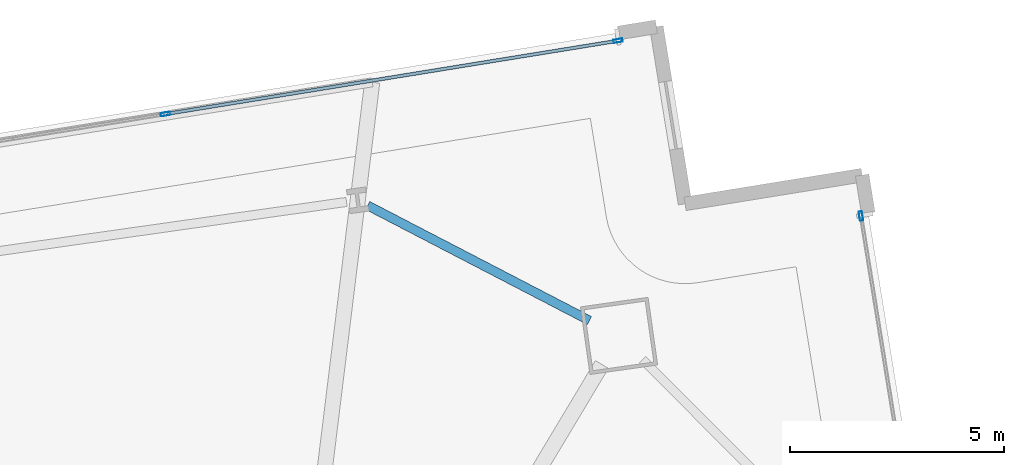
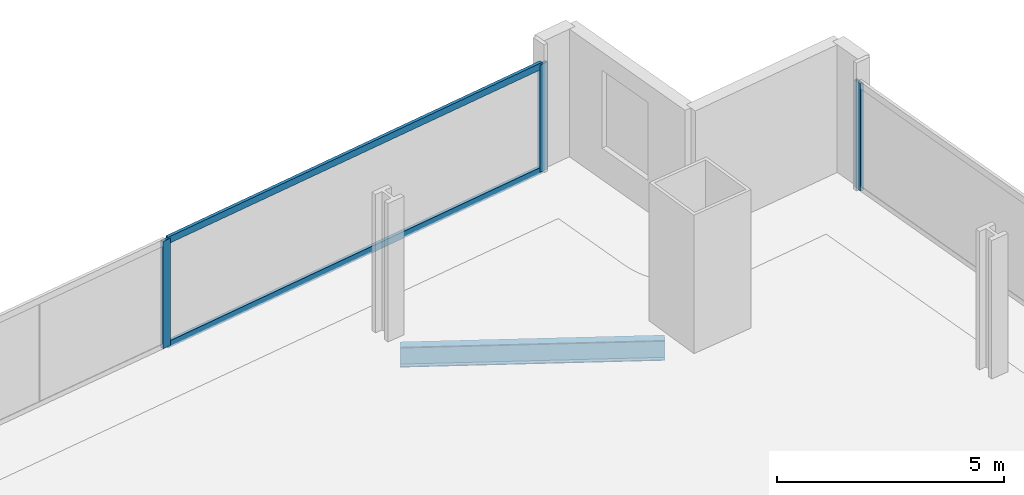
# One storey, part 23 of 33: 5 members, 1 beam, 2 elements without a shape of their own.
"""IFC4 building model written with IfcOpenShell, lengths in metres."""

from ifc_helpers import new_model, si_unit, direction, frame, origin, origin_2d, place, context, subcontext, project, spatial, hollow_rectangle, i_section, extrude, material, material_profile, profile_set, type_object, element, aggregate, save


model = new_model("IFC4")

# Units and contexts
model_context = context("Model", 3, precision=1e-05, world=origin(), true_north=direction((0.0, 1.0)))
body_context = subcontext(model_context, "Body", "Model", "MODEL_VIEW")
ifc_project = project(units=[si_unit("LENGTHUNIT", "METRE"), si_unit("AREAUNIT", "SQUARE_METRE"), si_unit("VOLUMEUNIT", "CUBIC_METRE"), si_unit("PLANEANGLEUNIT", "RADIAN"), si_unit("MASSUNIT", "GRAM", prefix="KILO")], contexts=[model_context])

# Site, building, storey
site_placement = place(None, origin())
site = spatial("IfcSite", under=ifc_project, at=site_placement, CompositionType="ELEMENT")
building_placement = place(site_placement, origin())
building = spatial("IfcBuilding", under=site, at=building_placement, Name="Haldenkirk Collegiate Tower", CompositionType="ELEMENT")
storey_placement = place(building_placement, frame((0.0, 0.0, 58.949951171875)))
storey = spatial("IfcBuildingStorey", under=building, at=storey_placement, Name="L13", CompositionType="ELEMENT", Elevation=58.949951171875)

# Beam
ifc_material_1 = material(Name="Steel ASTM A992 Grade 50", Category="steel")
ifc_material_profile_1 = material_profile(ifc_material_1, i_section(OverallWidth=0.2119140625, OverallDepth=0.5439453125, WebThickness=0.01318359375, FlangeThickness=0.021240234375, at=origin_2d()), Name="W21X83")
ifc_profile_set_1 = profile_set([ifc_material_profile_1], Name="Steel ASTM A992 Grade 50")
beam_type = type_object("IfcBeamType", Name="BM-SPANDREL-W21X83", PredefinedType="SPANDREL", material=ifc_profile_set_1)
beam_placement = place(storey_placement, frame((52.4921875, 48.029296875, -0.58203125), z_axis=(-0.887648364794, 0.460521856678, 0.0), x_axis=(-0.460521856678, -0.887648364794, 0.0)))
element("IfcBeam", 1, at=beam_placement, inside=storey, type_object=beam_type, Name="L13 perimeter spandrel beam 09", PredefinedType="SPANDREL", context=body_context, shape_type="SweptSolid", body=[
    extrude(i_section(OverallWidth=0.2119140625, OverallDepth=0.5439453125, WebThickness=0.01318359375, FlangeThickness=0.021240234375, at=origin_2d()), origin(), (0.0, 0.0, 1.0), 5.848388671875),
])

# Curtain wall, member
ifc_material_2 = material(Name="Anodised architectural bronze aluminium", Category="aluminium")
curtain_wall_type = type_object("IfcCurtainWallType", Name="CW-SYS1-CONVEX-LOW", PredefinedType="USERDEFINED", material=ifc_material_2)
curtain_wall_1_placement = place(storey_placement, origin())
curtain_wall_1 = element("IfcCurtainWall", 2, at=curtain_wall_1_placement, inside=storey, type_object=curtain_wall_type, Name="L13 Lower tower convex bronze-framed unitised curtain wall", ObjectType="UNITISED CURTAIN WALL", PredefinedType="USERDEFINED")
ifc_material_profile_2 = material_profile(ifc_material_2, hollow_rectangle(XDim=0.080078125, YDim=0.219970703125, WallThickness=0.0048828125, at=origin_2d()), Name="CW-MUL-1A")
ifc_profile_set_2 = profile_set([ifc_material_profile_2], Name="Anodised architectural bronze aluminium")
member_type_1 = type_object("IfcMemberType", Name="CW-MUL-1A", PredefinedType="MULLION", material=ifc_profile_set_2)
member_1_placement = place(storey_placement, frame((58.850341796875, 50.478271484375, 0.0), z_axis=(0.0, 0.0, 1.0), x_axis=(0.987136378374, 0.159880488152, 0.0)))
member_1 = element("IfcMember", 3, at=member_1_placement, type_object=member_type_1, Name="CW-1A mullion 1", PredefinedType="MULLION", context=body_context, shape_type="SweptSolid", body=[
    extrude(hollow_rectangle(XDim=0.080078125, YDim=0.219970703125, WallThickness=0.0048828125, at=origin_2d()), origin(), (0.0, 0.0, 1.0), 2.89111328125),
])
aggregate(curtain_wall_1, [member_1])

# Curtain wall, members
curtain_wall_2_placement = place(storey_placement, origin())
curtain_wall_2 = element("IfcCurtainWall", 4, at=curtain_wall_2_placement, inside=storey, type_object=curtain_wall_type, Name="L13 Lower tower convex bronze-framed unitised curtain wall", ObjectType="UNITISED CURTAIN WALL", PredefinedType="USERDEFINED")
member_2_placement = place(storey_placement, frame((42.564208984375, 52.864990234375, 0.0), z_axis=(0.0, 0.0, 1.0), x_axis=(-0.159881193222, 0.987136264177, 0.0)))
member_2 = element("IfcMember", 5, at=member_2_placement, type_object=member_type_1, Name="CW-1A mullion 4", PredefinedType="MULLION", context=body_context, shape_type="SweptSolid", body=[
    extrude(hollow_rectangle(XDim=0.080078125, YDim=0.219970703125, WallThickness=0.0048828125, at=origin_2d()), origin(), (0.0, 0.0, 1.0), 2.89111328125),
])
member_3_placement = place(storey_placement, frame((53.1611328125, 54.581298828125, 0.0), z_axis=(0.0, 0.0, 1.0), x_axis=(-0.159881193222, 0.987136264177, 0.0)))
member_3 = element("IfcMember", 6, at=member_3_placement, type_object=member_type_1, Name="CW-1A mullion 5", PredefinedType="MULLION", context=body_context, shape_type="SweptSolid", body=[
    extrude(hollow_rectangle(XDim=0.080078125, YDim=0.219970703125, WallThickness=0.0048828125, at=origin_2d()), origin(), (0.0, 0.0, 1.0), 2.89111328125),
])
ifc_material_profile_3 = material_profile(ifc_material_2, hollow_rectangle(XDim=0.080078125, YDim=0.179931640625, WallThickness=0.0048828125, at=origin_2d()), Name="CW-TRN-1A")
ifc_profile_set_3 = profile_set([ifc_material_profile_3], Name="Anodised architectural bronze aluminium")
member_type_2 = type_object("IfcMemberType", Name="CW-TRN-1A", PredefinedType="USERDEFINED", material=ifc_profile_set_3)
member_4_placement = place(storey_placement, frame((42.603759765625, 52.87158203125, 0.0400390625), z_axis=(0.987139018334, 0.159864187617, 0.0), x_axis=(-0.159864187617, 0.987139018334, 0.0)))
member_4 = element("IfcMember", 7, at=member_4_placement, type_object=member_type_2, Name="CW-1A transom 4.1", ObjectType="TRANSOM", PredefinedType="USERDEFINED", context=body_context, shape_type="SweptSolid", body=[
    extrude(hollow_rectangle(XDim=0.080078125, YDim=0.179931640625, WallThickness=0.0048828125, at=origin_2d()), origin(), (0.0, 0.0, 1.0), 10.655029296875),
])
member_5_placement = place(storey_placement, frame((42.603759765625, 52.87158203125, 2.85107421875), z_axis=(0.987139018334, 0.159864187617, 0.0), x_axis=(-0.159864187617, 0.987139018334, 0.0)))
member_5 = element("IfcMember", 8, at=member_5_placement, type_object=member_type_2, Name="CW-1A transom 4.2", ObjectType="TRANSOM", PredefinedType="USERDEFINED", context=body_context, shape_type="SweptSolid", body=[
    extrude(hollow_rectangle(XDim=0.080078125, YDim=0.179931640625, WallThickness=0.0048828125, at=origin_2d()), origin(), (0.0, 0.0, 1.0), 10.655029296875),
])
aggregate(curtain_wall_2, [member_2, member_3, member_4, member_5])

save(model, "model.ifc")
